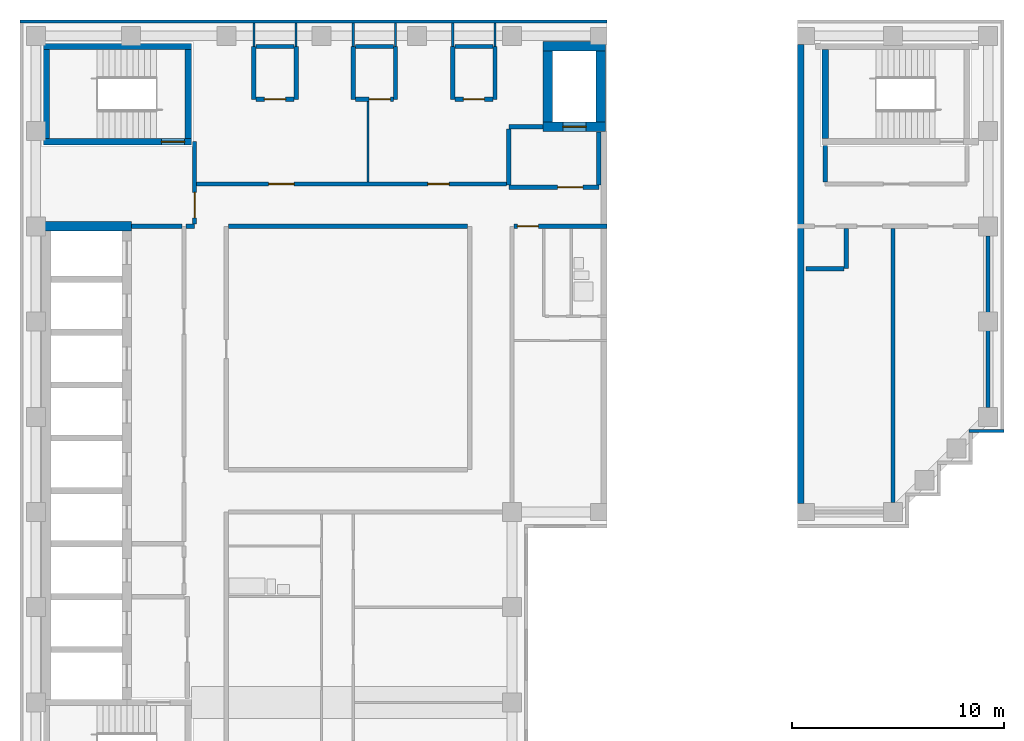
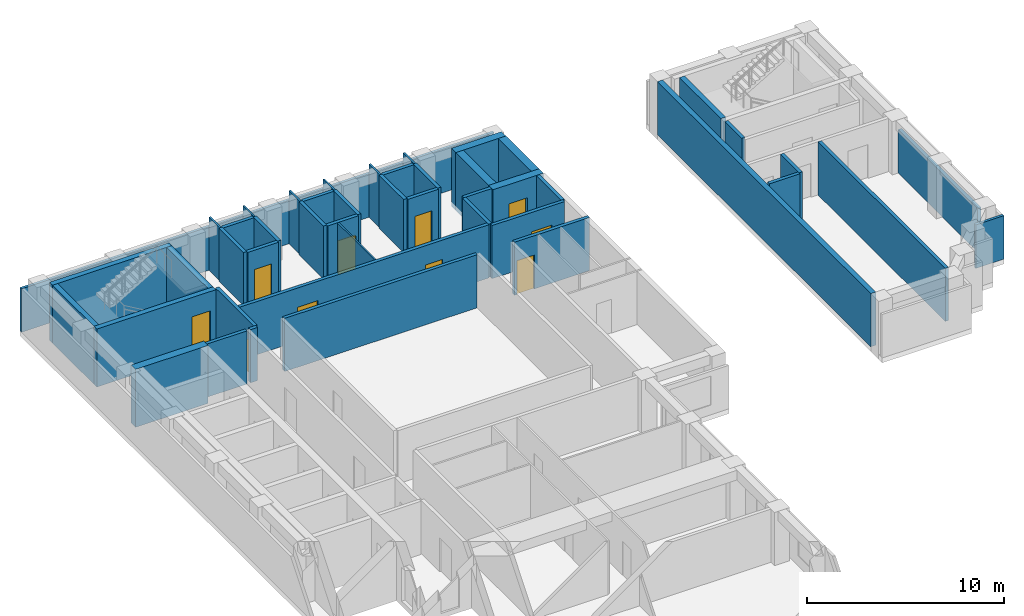
# One storey, part 4 of 7: 47 walls, 10 doors, 10 openings.
"""IFC4 building model written with IfcOpenShell, lengths in metres."""

from ifc_helpers import new_model, si_unit, direction, frame, frame_2d, origin, place, context, subcontext, project, spatial, rectangle, extrude, material, layer, layer_set, type_object, element, fill, save


model = new_model("IFC4")

# Units and contexts
model_context = context("Model", 3, precision=1e-05, world=origin(), true_north=direction((0.0, 1.0)))
body_context = subcontext(model_context, "Body", "Model", "MODEL_VIEW")
ifc_project = project(units=[si_unit("LENGTHUNIT", "METRE"), si_unit("AREAUNIT", "SQUARE_METRE"), si_unit("VOLUMEUNIT", "CUBIC_METRE"), si_unit("PLANEANGLEUNIT", "RADIAN"), si_unit("MASSUNIT", "GRAM", prefix="KILO")], contexts=[model_context])

# Site, building, storey
site_placement = place(None, origin())
site = spatial("IfcSite", under=ifc_project, at=site_placement, CompositionType="ELEMENT")
building_placement = place(site_placement, origin())
building = spatial("IfcBuilding", under=site, at=building_placement, Name="Firuza Court", CompositionType="ELEMENT")
storey_placement = place(building_placement, frame((0.0, 0.0, 243.800048828125)))
storey = spatial("IfcBuildingStorey", under=building, at=storey_placement, Name="L63", CompositionType="ELEMENT", Elevation=243.800048828125)

# Wall, opening, door
ifc_material_1 = material(Name="Concrete C50/60", Category="concrete")
ifc_layer_1 = layer(ifc_material_1, 0.300048828125)
ifc_layer_set_1 = layer_set([ifc_layer_1], Name="Concrete C50/60")
wall_type_1 = type_object("IfcWallType", Name="Core wall 300 C50/60", PredefinedType="SHEAR", material=ifc_layer_set_1)
wall_1_placement = place(storey_placement, frame((0.35009765625, 53.5, -0.300048828125), z_axis=(0.0, 0.0, 1.0), x_axis=(1.0, 0.0, 0.0)))
wall_1 = element("IfcWall", 1, at=wall_1_placement, inside=storey, type_object=wall_type_1, Name="Core wall stair L63", PredefinedType="SHEAR", context=body_context, shape_type="SweptSolid", body=[
    extrude(rectangle(XDim=7.0, YDim=0.300048828125, at=frame_2d((3.5, 0.0))), origin(), (0.0, 0.0, 1.0), 3.60009765625),
])
opening_1_placement = place(wall_1_placement, frame((5.580078125, 0.0, 0.300048828125)))
opening_1 = element("IfcOpeningElement", 2, at=opening_1_placement, cuts=wall_1, Name="Opening D63011", PredefinedType="OPENING", context=body_context, shape_type="SweptSolid", body=[
    extrude(rectangle(XDim=1.10009765625, YDim=2.10009765625, at=frame_2d((0.550048828125, 1.050048828125))), frame((0.0, 0.162109375, 0.0), z_axis=(0.0, -1.0, 0.0), x_axis=(1.0, 0.0, 0.0)), (0.0, 0.0, 1.0), 0.323974609375),
])
ifc_material_2 = material(Name="Timber door leaf in hardwood frame", Category="wood")
door_type_1 = type_object("IfcDoorType", Name="Stair door 1100", OperationType="SINGLE_SWING_LEFT", PredefinedType="DOOR", material=ifc_material_2)
door_1_placement = place(opening_1_placement, origin())
door_1 = element("IfcDoor", 3, at=door_1_placement, inside=storey, type_object=door_type_1, Name="Stair door S3", OperationType="SINGLE_SWING_RIGHT", OverallHeight=2.10009765625, OverallWidth=1.10009765625, PredefinedType="DOOR", context=body_context, shape_type="SweptSolid", body=[
    extrude(rectangle(XDim=1.10009765625, YDim=2.10009765625, at=frame_2d((0.550048828125, 1.050048828125))), frame((0.0, 0.02490234375, 0.0), z_axis=(0.0, -1.0, 0.0), x_axis=(1.0, 0.0, 0.0)), (0.0, 0.0, 1.0), 0.050048828125),
])
fill(opening_1, door_1)

# Walls
wall_2_placement = place(storey_placement, frame((0.35009765625, 58.0, -0.300048828125), z_axis=(0.0, 0.0, 1.0), x_axis=(1.0, 0.0, 0.0)))
element("IfcWall", 4, at=wall_2_placement, inside=storey, type_object=wall_type_1, Name="Core wall stair L63", PredefinedType="SHEAR", context=body_context, shape_type="SweptSolid", body=[
    extrude(rectangle(XDim=7.0, YDim=0.300048828125, at=frame_2d((3.5, 0.0))), origin(), (0.0, 0.0, 1.0), 3.60009765625),
])
for number, where, z_axis, x_axis, name in (
    (5, (0.5, 53.64990234375, -0.300048828125), (0.0, 0.0, 1.0), (0.0, 1.0, 0.0), "Core wall stair L63"),
    (6, (7.199951171875, 53.64990234375, -0.300048828125), (0.0, 0.0, 1.0), (0.0, 1.0, 0.0), "Core wall stair L63"),
    (7, (37.300048828125, 53.64990234375, -0.300048828125), (0.0, 0.0, 1.0), (0.0, 1.0, 0.0), "Core wall stair L63"),
):
    element("IfcWall", number, at=place(storey_placement, frame(where, z_axis=z_axis, x_axis=x_axis)), inside=storey, type_object=wall_type_1, Name=name, PredefinedType="SHEAR", context=body_context, shape_type="SweptSolid", body=[
        extrude(rectangle(XDim=4.2001953125, YDim=0.300048828125, at=frame_2d((2.10009765625, 0.0))), origin(), (0.0, 0.0, 1.0), 3.60009765625),
    ])
ifc_layer_2 = layer(ifc_material_1, 0.449951171875)
ifc_layer_set_2 = layer_set([ifc_layer_2], Name="Concrete C50/60")
wall_type_2 = type_object("IfcWallType", Name="Core wall 450 C50/60", PredefinedType="SHEAR", material=ifc_layer_set_2)
wall_3_placement = place(storey_placement, frame((0.27490234375, 49.5, -0.300048828125), z_axis=(0.0, 0.0, 1.0), x_axis=(1.0, 0.0, 0.0)))
element("IfcWall", 8, at=wall_3_placement, inside=storey, type_object=wall_type_2, Name="Core wall lift shaft L63", PredefinedType="SHEAR", context=body_context, shape_type="SweptSolid", body=[
    extrude(rectangle(XDim=4.25, YDim=0.449951171875, at=frame_2d((2.125, 0.0))), origin(), (0.0, 0.0, 1.0), 3.60009765625),
])

# Wall, opening, door
wall_4_placement = place(storey_placement, frame((23.97509765625, 54.199951171875, -0.300048828125), z_axis=(0.0, 0.0, 1.0), x_axis=(1.0, 0.0, 0.0)))
wall_4 = element("IfcWall", 9, at=wall_4_placement, inside=storey, type_object=wall_type_2, Name="Core wall lift shaft L63", PredefinedType="SHEAR", context=body_context, shape_type="SweptSolid", body=[
    extrude(rectangle(XDim=2.949951171875, YDim=0.449951171875, at=frame_2d((1.47509765625, 0.0))), origin(), (0.0, 0.0, 1.0), 3.60009765625),
])
opening_2_placement = place(wall_4_placement, frame((0.925048828125, 0.0, 0.300048828125)))
opening_2 = element("IfcOpeningElement", 10, at=opening_2_placement, cuts=wall_4, Name="Opening LD-FL3-63", PredefinedType="OPENING", context=body_context, shape_type="SweptSolid", body=[
    extrude(rectangle(XDim=1.10009765625, YDim=2.10009765625, at=frame_2d((0.550048828125, 1.050048828125))), frame((0.0, 0.23681640625, 0.0), z_axis=(0.0, -1.0, 0.0), x_axis=(1.0, 0.0, 0.0)), (0.0, 0.0, 1.0), 0.473876953125),
])
ifc_material_3 = material(Name="Stainless steel 1.4301 door leaf", Category="steel")
door_type_2 = type_object("IfcDoorType", Name="Lift landing door 1100", OperationType="SLIDING_TO_LEFT", PredefinedType="DOOR", material=ifc_material_3)
door_2_placement = place(opening_2_placement, origin())
door_2 = element("IfcDoor", 11, at=door_2_placement, inside=storey, type_object=door_type_2, Name="Landing door FL3", OperationType="SLIDING_TO_LEFT", OverallHeight=2.10009765625, OverallWidth=1.10009765625, PredefinedType="DOOR", context=body_context, shape_type="SweptSolid", body=[
    extrude(rectangle(XDim=1.10009765625, YDim=2.10009765625, at=frame_2d((0.550048828125, 1.050048828125))), frame((0.0, 0.02490234375, 0.0), z_axis=(0.0, -1.0, 0.0), x_axis=(1.0, 0.0, 0.0)), (0.0, 0.0, 1.0), 0.050048828125),
])
fill(opening_2, door_2)

# Walls
wall_5_placement = place(storey_placement, frame((23.97509765625, 58.0, -0.300048828125), z_axis=(0.0, 0.0, 1.0), x_axis=(1.0, 0.0, 0.0)))
element("IfcWall", 12, at=wall_5_placement, inside=storey, type_object=wall_type_2, Name="Core wall lift shaft L63", PredefinedType="SHEAR", context=body_context, shape_type="SweptSolid", body=[
    extrude(rectangle(XDim=2.949951171875, YDim=0.449951171875, at=frame_2d((1.47509765625, 0.0))), origin(), (0.0, 0.0, 1.0), 3.60009765625),
])
for number, where, z_axis, x_axis, name in (
    (13, (24.199951171875, 54.425048828125, -0.300048828125), (0.0, 0.0, 1.0), (0.0, 1.0, 0.0), "Core wall lift shaft L63"),
    (14, (26.699951171875, 54.425048828125, -0.300048828125), (0.0, 0.0, 1.0), (0.0, 1.0, 0.0), "Core wall lift shaft L63"),
):
    element("IfcWall", number, at=place(storey_placement, frame(where, z_axis=z_axis, x_axis=x_axis)), inside=storey, type_object=wall_type_2, Name=name, PredefinedType="SHEAR", context=body_context, shape_type="SweptSolid", body=[
        extrude(rectangle(XDim=3.349853515625, YDim=0.449951171875, at=frame_2d((1.6748046875, 0.0))), origin(), (0.0, 0.0, 1.0), 3.60009765625),
    ])
ifc_material_4 = material(Name="Blockwork, plastered both sides", Category="masonry")
ifc_layer_3 = layer(ifc_material_4, 0.199951171875)
ifc_layer_set_3 = layer_set([ifc_layer_3], Name="Blockwork, plastered both sides")
wall_type_3 = type_object("IfcWallType", Name="Corridor wall 200", PredefinedType="PARTITIONING", material=ifc_layer_set_3)
wall_6_placement = place(storey_placement, frame((9.10009765625, 49.5, 0.0), z_axis=(0.0, 0.0, 1.0), x_axis=(1.0, 0.0, 0.0)))
element("IfcWall", 15, at=wall_6_placement, inside=storey, type_object=wall_type_3, Name="Corridor wall 200 L63", PredefinedType="PARTITIONING", context=body_context, shape_type="SweptSolid", body=[
    extrude(rectangle(XDim=11.2998046875, YDim=0.199951171875, at=frame_2d((5.64990234375, 0.0))), origin(), (0.0, 0.0, 1.0), 3.300048828125),
])

# Wall, opening, door
wall_7_placement = place(storey_placement, frame((22.60009765625, 49.5, 0.0), z_axis=(0.0, 0.0, 1.0), x_axis=(1.0, 0.0, 0.0)))
wall_7 = element("IfcWall", 16, at=wall_7_placement, inside=storey, type_object=wall_type_3, Name="Corridor wall 200 L63", PredefinedType="PARTITIONING", context=body_context, shape_type="SweptSolid", body=[
    extrude(rectangle(XDim=4.39990234375, YDim=0.199951171875, at=frame_2d((2.199951171875, 0.0))), origin(), (0.0, 0.0, 1.0), 3.300048828125),
])
opening_3_placement = place(wall_7_placement, frame((0.14990234375, 0.0, 0.0)))
opening_3 = element("IfcOpeningElement", 17, at=opening_3_placement, cuts=wall_7, Name="Opening D63028", PredefinedType="OPENING", context=body_context, shape_type="SweptSolid", body=[
    extrude(rectangle(XDim=1.0, YDim=2.10009765625, at=frame_2d((0.5, 1.050048828125))), frame((0.0, 0.11181640625, 0.0), z_axis=(0.0, -1.0, 0.0), x_axis=(1.0, 0.0, 0.0)), (0.0, 0.0, 1.0), 0.223876953125),
])
ifc_material_5 = material(Name="Timber door leaf in hardwood frame", Category="wood")
door_type_3 = type_object("IfcDoorType", Name="Flat entrance door 1000", OperationType="SINGLE_SWING_LEFT", PredefinedType="DOOR", material=ifc_material_5)
door_3_placement = place(opening_3_placement, origin())
door_3 = element("IfcDoor", 18, at=door_3_placement, inside=storey, type_object=door_type_3, Name="Flat entrance door", OperationType="SINGLE_SWING_RIGHT", OverallHeight=2.10009765625, OverallWidth=1.0, PredefinedType="DOOR", context=body_context, shape_type="SweptSolid", body=[
    extrude(rectangle(XDim=1.0, YDim=2.10009765625, at=frame_2d((0.5, 1.050048828125))), frame((0.0, 0.02490234375, 0.0), z_axis=(0.0, -1.0, 0.0), x_axis=(1.0, 0.0, 0.0)), (0.0, 0.0, 1.0), 0.050048828125),
])
fill(opening_3, door_3)

# Wall, openings, doors
wall_8_placement = place(storey_placement, frame((7.60009765625, 51.5, 0.0), z_axis=(0.0, 0.0, 1.0), x_axis=(1.0, 0.0, 0.0)))
wall_8 = element("IfcWall", 19, at=wall_8_placement, inside=storey, type_object=wall_type_3, Name="Corridor wall 200 L63", PredefinedType="PARTITIONING", context=body_context, shape_type="SweptSolid", body=[
    extrude(rectangle(XDim=14.64990234375, YDim=0.199951171875, at=frame_2d((7.324951171875, 0.0))), origin(), (0.0, 0.0, 1.0), 3.300048828125),
])
opening_4_placement = place(wall_8_placement, frame((3.39990234375, 0.0, 0.0)))
opening_4 = element("IfcOpeningElement", 20, at=opening_4_placement, cuts=wall_8, Name="Opening D63032", PredefinedType="OPENING", context=body_context, shape_type="SweptSolid", body=[
    extrude(rectangle(XDim=1.199951171875, YDim=2.10009765625, at=frame_2d((0.60009765625, 1.050048828125))), frame((0.0, 0.11181640625, 0.0), z_axis=(0.0, -1.0, 0.0), x_axis=(1.0, 0.0, 0.0)), (0.0, 0.0, 1.0), 0.223876953125),
])
opening_5_placement = place(wall_8_placement, frame((10.925048828125, 0.0, 0.0)))
opening_5 = element("IfcOpeningElement", 21, at=opening_5_placement, cuts=wall_8, Name="Opening D63033", PredefinedType="OPENING", context=body_context, shape_type="SweptSolid", body=[
    extrude(rectangle(XDim=1.0, YDim=2.10009765625, at=frame_2d((0.5, 1.050048828125))), frame((0.0, 0.11181640625, 0.0), z_axis=(0.0, -1.0, 0.0), x_axis=(1.0, 0.0, 0.0)), (0.0, 0.0, 1.0), 0.223876953125),
])
ifc_material_6 = material(Name="Timber door leaf in hardwood frame", Category="wood")
door_type_4 = type_object("IfcDoorType", Name="Plant room door 1200", OperationType="SINGLE_SWING_LEFT", PredefinedType="DOOR", material=ifc_material_6)
door_4_placement = place(opening_4_placement, origin())
door_4 = element("IfcDoor", 22, at=door_4_placement, inside=storey, type_object=door_type_4, Name="Plant door", OperationType="SINGLE_SWING_LEFT", OverallHeight=2.10009765625, OverallWidth=1.199951171875, PredefinedType="DOOR", context=body_context, shape_type="SweptSolid", body=[
    extrude(rectangle(XDim=1.199951171875, YDim=2.10009765625, at=frame_2d((0.60009765625, 1.050048828125))), frame((0.0, 0.02490234375, 0.0), z_axis=(0.0, -1.0, 0.0), x_axis=(1.0, 0.0, 0.0)), (0.0, 0.0, 1.0), 0.050048828125),
])
fill(opening_4, door_4)
ifc_material_7 = material(Name="Timber door leaf in hardwood frame", Category="wood")
door_type_5 = type_object("IfcDoorType", Name="Store door 1000", OperationType="SINGLE_SWING_LEFT", PredefinedType="DOOR", material=ifc_material_7)
door_5_placement = place(opening_5_placement, origin())
door_5 = element("IfcDoor", 23, at=door_5_placement, inside=storey, type_object=door_type_5, Name="Electrical room door", OperationType="SINGLE_SWING_LEFT", OverallHeight=2.10009765625, OverallWidth=1.0, PredefinedType="DOOR", context=body_context, shape_type="SweptSolid", body=[
    extrude(rectangle(XDim=1.0, YDim=2.10009765625, at=frame_2d((0.5, 1.050048828125))), frame((0.0, 0.02490234375, 0.0), z_axis=(0.0, -1.0, 0.0), x_axis=(1.0, 0.0, 0.0)), (0.0, 0.0, 1.0), 0.050048828125),
])
fill(opening_5, door_5)

# Walls
ifc_material_8 = material(Name="Timber stud partition, plasterboard both sides", Category="wood")
ifc_layer_4 = layer(ifc_material_8, 0.10009765625)
ifc_layer_set_4 = layer_set([ifc_layer_4], Name="Timber stud partition, plasterboard both sides")
wall_type_4 = type_object("IfcWallType", Name="Partition wall 100", PredefinedType="PARTITIONING", material=ifc_layer_set_4)
wall_9_placement = place(storey_placement, frame((15.699951171875, 51.60009765625, 0.0), z_axis=(0.0, 0.0, 1.0), x_axis=(0.0, 1.0, 0.0)))
element("IfcWall", 24, at=wall_9_placement, inside=storey, type_object=wall_type_4, Name="Partition wall 100 L63", PredefinedType="PARTITIONING", context=body_context, shape_type="SweptSolid", body=[
    extrude(rectangle(XDim=3.7998046875, YDim=0.10009765625, at=frame_2d((1.89990234375, 0.0))), origin(), (0.0, 0.0, 1.0), 3.300048828125),
])
for number, where, z_axis, x_axis, name in (
    (25, (10.300048828125, 58.0, 0.0), (0.0, 0.0, 1.0), (0.0, 1.0, 0.0), "Partition wall 100 L63"),
    (26, (12.300048828125, 58.0, 0.0), (0.0, 0.0, 1.0), (0.0, 1.0, 0.0), "Partition wall 100 L63"),
    (27, (15.0, 58.0, 0.0), (0.0, 0.0, 1.0), (0.0, 1.0, 0.0), "Partition wall 100 L63"),
    (28, (17.0, 58.0, 0.0), (0.0, 0.0, 1.0), (0.0, 1.0, 0.0), "Partition wall 100 L63"),
    (29, (19.699951171875, 58.0, 0.0), (0.0, 0.0, 1.0), (0.0, 1.0, 0.0), "Partition wall 100 L63"),
    (30, (21.699951171875, 58.0, 0.0), (0.0, 0.0, 1.0), (0.0, 1.0, 0.0), "Partition wall 100 L63"),
):
    element("IfcWall", number, at=place(storey_placement, frame(where, z_axis=z_axis, x_axis=x_axis)), inside=storey, type_object=wall_type_4, Name=name, PredefinedType="PARTITIONING", context=body_context, shape_type="SweptSolid", body=[
        extrude(rectangle(XDim=1.10009765625, YDim=0.10009765625, at=frame_2d((0.550048828125, 0.0))), origin(), (0.0, 0.0, 1.0), 3.300048828125),
    ])
ifc_material_9 = material(Name="Blockwork, fire-rated", Category="masonry")
ifc_layer_5 = layer(ifc_material_9, 0.199951171875)
ifc_layer_set_5 = layer_set([ifc_layer_5], Name="Blockwork, fire-rated")
wall_type_5 = type_object("IfcWallType", Name="Plant room wall 200", PredefinedType="PARTITIONING", material=ifc_layer_set_5)
wall_10_placement = place(storey_placement, frame((40.5, 36.449951171875, 0.0), z_axis=(0.0, 0.0, 1.0), x_axis=(0.0, 1.0, 0.0)))
element("IfcWall", 31, at=wall_10_placement, inside=storey, type_object=wall_type_5, Name="Plant room wall 200 L63", PredefinedType="PARTITIONING", context=body_context, shape_type="SweptSolid", body=[
    extrude(rectangle(XDim=12.949951171875, YDim=0.199951171875, at=frame_2d((6.47509765625, 0.0))), origin(), (0.0, 0.0, 1.0), 3.300048828125),
])
wall_11_placement = place(storey_placement, frame((45.0, 40.949951171875, 0.0), z_axis=(0.0, 0.0, 1.0), x_axis=(0.0, 1.0, 0.0)))
element("IfcWall", 32, at=wall_11_placement, inside=storey, type_object=wall_type_5, Name="Plant room wall 200 L63", PredefinedType="PARTITIONING", context=body_context, shape_type="SweptSolid", body=[
    extrude(rectangle(XDim=8.10009765625, YDim=0.199951171875, at=frame_2d((4.050048828125, 0.0))), origin(), (0.0, 0.0, 1.0), 2.699951171875),
])
wall_12_placement = place(storey_placement, frame((36.39990234375, 47.5, 0.0), z_axis=(0.0, 0.0, 1.0), x_axis=(1.0, 0.0, 0.0)))
element("IfcWall", 33, at=wall_12_placement, inside=storey, type_object=wall_type_5, Name="Plant room wall 200 L63", PredefinedType="PARTITIONING", context=body_context, shape_type="SweptSolid", body=[
    extrude(rectangle(XDim=1.800048828125, YDim=0.199951171875, at=frame_2d((0.89990234375, 0.0))), origin(), (0.0, 0.0, 1.0), 3.300048828125),
])
wall_13_placement = place(storey_placement, frame((38.300048828125, 47.5, 0.0), z_axis=(0.0, 0.0, 1.0), x_axis=(0.0, 1.0, 0.0)))
element("IfcWall", 34, at=wall_13_placement, inside=storey, type_object=wall_type_5, Name="Plant room wall 200 L63", PredefinedType="PARTITIONING", context=body_context, shape_type="SweptSolid", body=[
    extrude(rectangle(XDim=1.89990234375, YDim=0.199951171875, at=frame_2d((0.949951171875, 0.0))), origin(), (0.0, 0.0, 1.0), 3.300048828125),
])
wall_14_placement = place(storey_placement, frame((10.300048828125, 55.5, 0.0), z_axis=(0.0, 0.0, 1.0), x_axis=(0.0, 1.0, 0.0)))
element("IfcWall", 35, at=wall_14_placement, inside=storey, type_object=wall_type_5, Name="Plant room wall 200 L63", PredefinedType="PARTITIONING", context=body_context, shape_type="SweptSolid", body=[
    extrude(rectangle(XDim=2.5, YDim=0.199951171875, at=frame_2d((1.25, 0.0))), origin(), (0.0, 0.0, 1.0), 3.300048828125),
])

# Wall, opening, door
wall_15_placement = place(storey_placement, frame((10.39990234375, 55.5, 0.0), z_axis=(0.0, 0.0, 1.0), x_axis=(1.0, 0.0, 0.0)))
wall_15 = element("IfcWall", 36, at=wall_15_placement, inside=storey, type_object=wall_type_5, Name="Plant room wall 200 L63", PredefinedType="PARTITIONING", context=body_context, shape_type="SweptSolid", body=[
    extrude(rectangle(XDim=1.800048828125, YDim=0.199951171875, at=frame_2d((0.89990234375, 0.0))), origin(), (0.0, 0.0, 1.0), 3.300048828125),
])
opening_6_placement = place(wall_15_placement, frame((0.39990234375, 0.0, 0.0)))
opening_6 = element("IfcOpeningElement", 37, at=opening_6_placement, cuts=wall_15, Name="Opening D63034", PredefinedType="OPENING", context=body_context, shape_type="SweptSolid", body=[
    extrude(rectangle(XDim=1.0, YDim=2.10009765625, at=frame_2d((0.5, 1.050048828125))), frame((0.0, 0.11181640625, 0.0), z_axis=(0.0, -1.0, 0.0), x_axis=(1.0, 0.0, 0.0)), (0.0, 0.0, 1.0), 0.223876953125),
])
ifc_material_10 = material(Name="Timber door leaf in hardwood frame", Category="wood")
door_type_6 = type_object("IfcDoorType", Name="Riser door 1000", OperationType="SINGLE_SWING_LEFT", PredefinedType="DOOR", material=ifc_material_10)
door_6_placement = place(opening_6_placement, origin())
door_6 = element("IfcDoor", 38, at=door_6_placement, inside=storey, type_object=door_type_6, Name="Comms riser door", OperationType="SINGLE_SWING_LEFT", OverallHeight=2.10009765625, OverallWidth=1.0, PredefinedType="DOOR", context=body_context, shape_type="SweptSolid", body=[
    extrude(rectangle(XDim=1.0, YDim=2.10009765625, at=frame_2d((0.5, 1.050048828125))), frame((0.0, 0.02490234375, 0.0), z_axis=(0.0, -1.0, 0.0), x_axis=(1.0, 0.0, 0.0)), (0.0, 0.0, 1.0), 0.050048828125),
])
fill(opening_6, door_6)

# Walls
for number, where, z_axis, x_axis, name in (
    (39, (12.300048828125, 55.5, 0.0), (0.0, 0.0, 1.0), (0.0, 1.0, 0.0), "Plant room wall 200 L63"),
    (40, (15.0, 55.5, 0.0), (0.0, 0.0, 1.0), (0.0, 1.0, 0.0), "Plant room wall 200 L63"),
):
    element("IfcWall", number, at=place(storey_placement, frame(where, z_axis=z_axis, x_axis=x_axis)), inside=storey, type_object=wall_type_5, Name=name, PredefinedType="PARTITIONING", context=body_context, shape_type="SweptSolid", body=[
        extrude(rectangle(XDim=2.5, YDim=0.199951171875, at=frame_2d((1.25, 0.0))), origin(), (0.0, 0.0, 1.0), 3.300048828125),
    ])

# Wall, opening, door
wall_16_placement = place(storey_placement, frame((15.10009765625, 55.5, 0.0), z_axis=(0.0, 0.0, 1.0), x_axis=(1.0, 0.0, 0.0)))
wall_16 = element("IfcWall", 41, at=wall_16_placement, inside=storey, type_object=wall_type_5, Name="Plant room wall 200 L63", PredefinedType="PARTITIONING", context=body_context, shape_type="SweptSolid", body=[
    extrude(rectangle(XDim=1.7998046875, YDim=0.199951171875, at=frame_2d((0.89990234375, 0.0))), origin(), (0.0, 0.0, 1.0), 3.300048828125),
])
opening_7_placement = place(wall_16_placement, frame((0.64990234375, 0.0, 0.0)))
opening_7 = element("IfcOpeningElement", 42, at=opening_7_placement, cuts=wall_16, Name="Opening D63035", PredefinedType="OPENING", context=body_context, shape_type="SweptSolid", body=[
    extrude(rectangle(XDim=1.0, YDim=2.10009765625, at=frame_2d((0.5, 1.050048828125))), frame((0.0, 0.11181640625, 0.0), z_axis=(0.0, -1.0, 0.0), x_axis=(1.0, 0.0, 0.0)), (0.0, 0.0, 1.0), 0.223876953125),
])
door_7_placement = place(opening_7_placement, origin())
door_7 = element("IfcDoor", 43, at=door_7_placement, inside=storey, type_object=door_type_6, Name="Electrical riser door", OperationType="SINGLE_SWING_RIGHT", OverallHeight=2.10009765625, OverallWidth=1.0, PredefinedType="DOOR", context=body_context, shape_type="SweptSolid", body=[
    extrude(rectangle(XDim=1.0, YDim=2.10009765625, at=frame_2d((0.5, 1.050048828125))), frame((0.0, 0.02490234375, 0.0), z_axis=(0.0, -1.0, 0.0), x_axis=(1.0, 0.0, 0.0)), (0.0, 0.0, 1.0), 0.050048828125),
])
fill(opening_7, door_7)

# Walls
for number, where, z_axis, x_axis, name in (
    (44, (17.0, 55.5, 0.0), (0.0, 0.0, 1.0), (0.0, 1.0, 0.0), "Plant room wall 200 L63"),
    (45, (19.699951171875, 55.5, 0.0), (0.0, 0.0, 1.0), (0.0, 1.0, 0.0), "Plant room wall 200 L63"),
):
    element("IfcWall", number, at=place(storey_placement, frame(where, z_axis=z_axis, x_axis=x_axis)), inside=storey, type_object=wall_type_5, Name=name, PredefinedType="PARTITIONING", context=body_context, shape_type="SweptSolid", body=[
        extrude(rectangle(XDim=2.5, YDim=0.199951171875, at=frame_2d((1.25, 0.0))), origin(), (0.0, 0.0, 1.0), 3.300048828125),
    ])

# Wall, opening, door
wall_17_placement = place(storey_placement, frame((19.800048828125, 55.5, 0.0), z_axis=(0.0, 0.0, 1.0), x_axis=(1.0, 0.0, 0.0)))
wall_17 = element("IfcWall", 46, at=wall_17_placement, inside=storey, type_object=wall_type_5, Name="Plant room wall 200 L63", PredefinedType="PARTITIONING", context=body_context, shape_type="SweptSolid", body=[
    extrude(rectangle(XDim=1.800048828125, YDim=0.199951171875, at=frame_2d((0.89990234375, 0.0))), origin(), (0.0, 0.0, 1.0), 3.300048828125),
])
opening_8_placement = place(wall_17_placement, frame((0.39990234375, 0.0, 0.0)))
opening_8 = element("IfcOpeningElement", 47, at=opening_8_placement, cuts=wall_17, Name="Opening D63036", PredefinedType="OPENING", context=body_context, shape_type="SweptSolid", body=[
    extrude(rectangle(XDim=1.0, YDim=2.10009765625, at=frame_2d((0.5, 1.050048828125))), frame((0.0, 0.11181640625, 0.0), z_axis=(0.0, -1.0, 0.0), x_axis=(1.0, 0.0, 0.0)), (0.0, 0.0, 1.0), 0.223876953125),
])
door_8_placement = place(opening_8_placement, origin())
door_8 = element("IfcDoor", 48, at=door_8_placement, inside=storey, type_object=door_type_6, Name="Duct riser door", OperationType="SINGLE_SWING_LEFT", OverallHeight=2.10009765625, OverallWidth=1.0, PredefinedType="DOOR", context=body_context, shape_type="SweptSolid", body=[
    extrude(rectangle(XDim=1.0, YDim=2.10009765625, at=frame_2d((0.5, 1.050048828125))), frame((0.0, 0.02490234375, 0.0), z_axis=(0.0, -1.0, 0.0), x_axis=(1.0, 0.0, 0.0)), (0.0, 0.0, 1.0), 0.050048828125),
])
fill(opening_8, door_8)

# Walls
wall_18_placement = place(storey_placement, frame((21.699951171875, 55.5, 0.0), z_axis=(0.0, 0.0, 1.0), x_axis=(0.0, 1.0, 0.0)))
element("IfcWall", 49, at=wall_18_placement, inside=storey, type_object=wall_type_5, Name="Plant room wall 200 L63", PredefinedType="PARTITIONING", context=body_context, shape_type="SweptSolid", body=[
    extrude(rectangle(XDim=2.5, YDim=0.199951171875, at=frame_2d((1.25, 0.0))), origin(), (0.0, 0.0, 1.0), 3.300048828125),
])
wall_19_placement = place(storey_placement, frame((10.39990234375, 58.0, 0.0), z_axis=(0.0, 0.0, 1.0), x_axis=(1.0, 0.0, 0.0)))
element("IfcWall", 50, at=wall_19_placement, inside=storey, type_object=wall_type_5, Name="Plant room wall 200 L63", PredefinedType="PARTITIONING", context=body_context, shape_type="SweptSolid", body=[
    extrude(rectangle(XDim=1.800048828125, YDim=0.199951171875, at=frame_2d((0.89990234375, 0.0))), origin(), (0.0, 0.0, 1.0), 3.300048828125),
])
wall_20_placement = place(storey_placement, frame((15.10009765625, 58.0, 0.0), z_axis=(0.0, 0.0, 1.0), x_axis=(1.0, 0.0, 0.0)))
element("IfcWall", 51, at=wall_20_placement, inside=storey, type_object=wall_type_5, Name="Plant room wall 200 L63", PredefinedType="PARTITIONING", context=body_context, shape_type="SweptSolid", body=[
    extrude(rectangle(XDim=1.7998046875, YDim=0.199951171875, at=frame_2d((0.89990234375, 0.0))), origin(), (0.0, 0.0, 1.0), 3.300048828125),
])
wall_21_placement = place(storey_placement, frame((19.800048828125, 58.0, 0.0), z_axis=(0.0, 0.0, 1.0), x_axis=(1.0, 0.0, 0.0)))
element("IfcWall", 52, at=wall_21_placement, inside=storey, type_object=wall_type_5, Name="Plant room wall 200 L63", PredefinedType="PARTITIONING", context=body_context, shape_type="SweptSolid", body=[
    extrude(rectangle(XDim=1.800048828125, YDim=0.199951171875, at=frame_2d((0.89990234375, 0.0))), origin(), (0.0, 0.0, 1.0), 3.300048828125),
])
ifc_material_11 = material(Name="Ceramic tile", Category="ceramic")
ifc_layer_6 = layer(ifc_material_11, 0.02001953125)
ifc_material_12 = material(Name="Mineral wool insulation", Category="insulation")
ifc_layer_7 = layer(ifc_material_12, 0.1298828125)
ifc_material_13 = material(Name="Concrete C40/50 precast", Category="concrete")
ifc_layer_8 = layer(ifc_material_13, 0.14990234375)
ifc_layer_set_6 = layer_set([ifc_layer_6, ifc_layer_7, ifc_layer_8], Name="Concrete C40/50 precast")
wall_type_6 = type_object("IfcWallType", Name="Portal reveal wall 300", PredefinedType="STANDARD", material=ifc_layer_set_6)
wall_22_placement = place(storey_placement, frame((36.14990234375, 36.39990234375, 0.0), z_axis=(0.0, 0.0, 1.0), x_axis=(0.0, 1.0, 0.0)))
element("IfcWall", 53, at=wall_22_placement, inside=storey, type_object=wall_type_6, Name="Portal reveal wall L63 E", PredefinedType="STANDARD", context=body_context, shape_type="SweptSolid", body=[
    extrude(rectangle(XDim=21.7001953125, YDim=0.300048828125, at=frame_2d((10.85009765625, 0.0))), origin(), (0.0, 0.0, 1.0), 3.300048828125),
])
ifc_layer_9 = layer(ifc_material_11, 0.02001953125)
ifc_layer_10 = layer(ifc_material_12, 0.050048828125)
ifc_layer_11 = layer(ifc_material_13, 0.080078125)
ifc_layer_set_7 = layer_set([ifc_layer_9, ifc_layer_10, ifc_layer_11], Name="Concrete C40/50 precast")
wall_type_7 = type_object("IfcWallType", Name="Precast cladding wall with turquoise TILE PANEL face 150", PredefinedType="STANDARD", material=ifc_layer_set_7)
wall_23_placement = place(storey_placement, frame((44.10009765625, 39.824951171875, 0.0), z_axis=(0.0, 0.0, 1.0), x_axis=(1.0, 0.0, 0.0)))
element("IfcWall", 54, at=wall_23_placement, inside=storey, type_object=wall_type_7, Name="Facade wall L63 S", PredefinedType="STANDARD", context=body_context, shape_type="SweptSolid", body=[
    extrude(rectangle(XDim=1.64990234375, YDim=0.14990234375, at=frame_2d((0.824951171875, 0.0))), origin(), (0.0, 0.0, 1.0), 2.699951171875),
])
wall_24_placement = place(storey_placement, frame((27.0, 59.175048828125, 0.0), z_axis=(0.0, 0.0, 1.0), x_axis=(-1.0, 0.0, 0.0)))
element("IfcWall", 55, at=wall_24_placement, inside=storey, type_object=wall_type_7, Name="Facade wall L63 N", PredefinedType="STANDARD", context=body_context, shape_type="SweptSolid", body=[
    extrude(rectangle(XDim=27.75, YDim=0.14990234375, at=frame_2d((13.875, 0.0))), origin(), (0.0, 0.0, 1.0), 2.699951171875),
])
ifc_layer_12 = layer(ifc_material_9, 0.199951171875)
ifc_layer_set_8 = layer_set([ifc_layer_12], Name="Blockwork, fire-rated")
wall_type_8 = type_object("IfcWallType", Name="Shaft wall 200", PredefinedType="PARTITIONING", material=ifc_layer_set_8)
wall_25_placement = place(storey_placement, frame((4.52490234375, 49.5, 0.0), z_axis=(0.0, 0.0, 1.0), x_axis=(1.0, 0.0, 0.0)))
element("IfcWall", 56, at=wall_25_placement, inside=storey, type_object=wall_type_8, Name="Shaft wall 200 L63", PredefinedType="PARTITIONING", context=body_context, shape_type="SweptSolid", body=[
    extrude(rectangle(XDim=2.375, YDim=0.199951171875, at=frame_2d((1.1875, 0.0))), origin(), (0.0, 0.0, 1.0), 3.300048828125),
])

# Wall, opening, door
wall_26_placement = place(storey_placement, frame((22.35009765625, 51.35009765625, 0.0), z_axis=(0.0, 0.0, 1.0), x_axis=(1.0, 0.0, 0.0)))
wall_26 = element("IfcWall", 57, at=wall_26_placement, inside=storey, type_object=wall_type_8, Name="Shaft wall 200 L63", PredefinedType="PARTITIONING", context=body_context, shape_type="SweptSolid", body=[
    extrude(rectangle(XDim=4.25, YDim=0.199951171875, at=frame_2d((2.125, 0.0))), origin(), (0.0, 0.0, 1.0), 3.300048828125),
])
opening_9_placement = place(wall_26_placement, frame((2.300048828125, 0.0, 0.0)))
opening_9 = element("IfcOpeningElement", 58, at=opening_9_placement, cuts=wall_26, Name="Opening D63003", PredefinedType="OPENING", context=body_context, shape_type="SweptSolid", body=[
    extrude(rectangle(XDim=1.199951171875, YDim=2.10009765625, at=frame_2d((0.60009765625, 1.050048828125))), frame((0.0, 0.11181640625, 0.0), z_axis=(0.0, -1.0, 0.0), x_axis=(1.0, 0.0, 0.0)), (0.0, 0.0, 1.0), 0.223876953125),
])
ifc_material_14 = material(Name="Timber door leaf in hardwood frame", Category="wood")
door_type_7 = type_object("IfcDoorType", Name="Lobby door 1200", OperationType="SINGLE_SWING_LEFT", PredefinedType="DOOR", material=ifc_material_14)
door_9_placement = place(opening_9_placement, origin())
door_9 = element("IfcDoor", 59, at=door_9_placement, inside=storey, type_object=door_type_7, Name="Fire-fighting lobby door", OperationType="SINGLE_SWING_RIGHT", OverallHeight=2.10009765625, OverallWidth=1.199951171875, PredefinedType="DOOR", context=body_context, shape_type="SweptSolid", body=[
    extrude(rectangle(XDim=1.199951171875, YDim=2.10009765625, at=frame_2d((0.60009765625, 1.050048828125))), frame((0.0, 0.02490234375, 0.0), z_axis=(0.0, -1.0, 0.0), x_axis=(1.0, 0.0, 0.0)), (0.0, 0.0, 1.0), 0.050048828125),
])
fill(opening_9, door_9)

# Walls
wall_27_placement = place(storey_placement, frame((26.60009765625, 51.449951171875, 0.0), z_axis=(0.0, 0.0, 1.0), x_axis=(0.0, 1.0, 0.0)))
element("IfcWall", 60, at=wall_27_placement, inside=storey, type_object=wall_type_8, Name="Shaft wall 200 L63", PredefinedType="PARTITIONING", context=body_context, shape_type="SweptSolid", body=[
    extrude(rectangle(XDim=2.505126953125, YDim=0.199951171875, at=frame_2d((1.25244140625, 0.0))), origin(), (0.0, 0.0, 1.0), 3.300048828125),
])
wall_28_placement = place(storey_placement, frame((22.35009765625, 54.199951171875, 0.0), z_axis=(0.0, 0.0, 1.0), x_axis=(1.0, 0.0, 0.0)))
element("IfcWall", 61, at=wall_28_placement, inside=storey, type_object=wall_type_8, Name="Shaft wall 200 L63", PredefinedType="PARTITIONING", context=body_context, shape_type="SweptSolid", body=[
    extrude(rectangle(XDim=1.625, YDim=0.199951171875, at=frame_2d((0.8125, 0.0))), origin(), (0.0, 0.0, 1.0), 3.300048828125),
])
wall_29_placement = place(storey_placement, frame((22.35009765625, 51.449951171875, 0.0), z_axis=(0.0, 0.0, 1.0), x_axis=(0.0, 1.0, 0.0)))
element("IfcWall", 62, at=wall_29_placement, inside=storey, type_object=wall_type_8, Name="Shaft wall 200 L63", PredefinedType="PARTITIONING", context=body_context, shape_type="SweptSolid", body=[
    extrude(rectangle(XDim=2.650146484375, YDim=0.199951171875, at=frame_2d((1.3251953125, 0.0))), origin(), (0.0, 0.0, 1.0), 3.300048828125),
])
wall_30_placement = place(storey_placement, frame((7.10009765625, 49.5, 0.0), z_axis=(0.0, 0.0, 1.0), x_axis=(1.0, 0.0, 0.0)))
element("IfcWall", 63, at=wall_30_placement, inside=storey, type_object=wall_type_8, Name="Shaft wall 200 L63", PredefinedType="PARTITIONING", context=body_context, shape_type="SweptSolid", body=[
    extrude(rectangle(XDim=0.39990234375, YDim=0.199951171875, at=frame_2d((0.199951171875, 0.0))), origin(), (0.0, 0.0, 1.0), 3.300048828125),
])

# Wall, opening, door
wall_31_placement = place(storey_placement, frame((7.5, 49.60009765625, 0.0), z_axis=(0.0, 0.0, 1.0), x_axis=(0.0, 1.0, 0.0)))
wall_31 = element("IfcWall", 64, at=wall_31_placement, inside=storey, type_object=wall_type_8, Name="Shaft wall 200 L63", PredefinedType="PARTITIONING", context=body_context, shape_type="SweptSolid", body=[
    extrude(rectangle(XDim=3.89990234375, YDim=0.199951171875, at=frame_2d((1.949951171875, 0.0))), origin(), (0.0, 0.0, 1.0), 3.300048828125),
])
opening_10_placement = place(wall_31_placement, frame((0.300048828125, 0.0, 0.0)))
opening_10 = element("IfcOpeningElement", 65, at=opening_10_placement, cuts=wall_31, Name="Opening D63001", PredefinedType="OPENING", context=body_context, shape_type="SweptSolid", body=[
    extrude(rectangle(XDim=1.199951171875, YDim=2.10009765625, at=frame_2d((0.60009765625, 1.050048828125))), frame((0.0, 0.11181640625, 0.0), z_axis=(0.0, -1.0, 0.0), x_axis=(1.0, 0.0, 0.0)), (0.0, 0.0, 1.0), 0.223876953125),
])
door_10_placement = place(opening_10_placement, origin())
door_10 = element("IfcDoor", 66, at=door_10_placement, inside=storey, type_object=door_type_7, Name="Lobby door", OperationType="SINGLE_SWING_LEFT", OverallHeight=2.10009765625, OverallWidth=1.199951171875, PredefinedType="DOOR", context=body_context, shape_type="SweptSolid", body=[
    extrude(rectangle(XDim=1.199951171875, YDim=2.10009765625, at=frame_2d((0.60009765625, 1.050048828125))), frame((0.0, 0.02490234375, 0.0), z_axis=(0.0, -1.0, 0.0), x_axis=(1.0, 0.0, 0.0)), (0.0, 0.0, 1.0), 0.050048828125),
])
fill(opening_10, door_10)

# Wall
wall_32_placement = place(storey_placement, frame((37.300048828125, 51.60009765625, 0.0), z_axis=(0.0, 0.0, 1.0), x_axis=(0.0, 1.0, 0.0)))
element("IfcWall", 67, at=wall_32_placement, inside=storey, type_object=wall_type_8, Name="Shaft wall 200 L63", PredefinedType="PARTITIONING", context=body_context, shape_type="SweptSolid", body=[
    extrude(rectangle(XDim=1.72998046875, YDim=0.199951171875, at=frame_2d((0.864990234375, 0.0))), origin(), (0.0, 0.0, 1.0), 3.300048828125),
])

save(model, "model.ifc")
